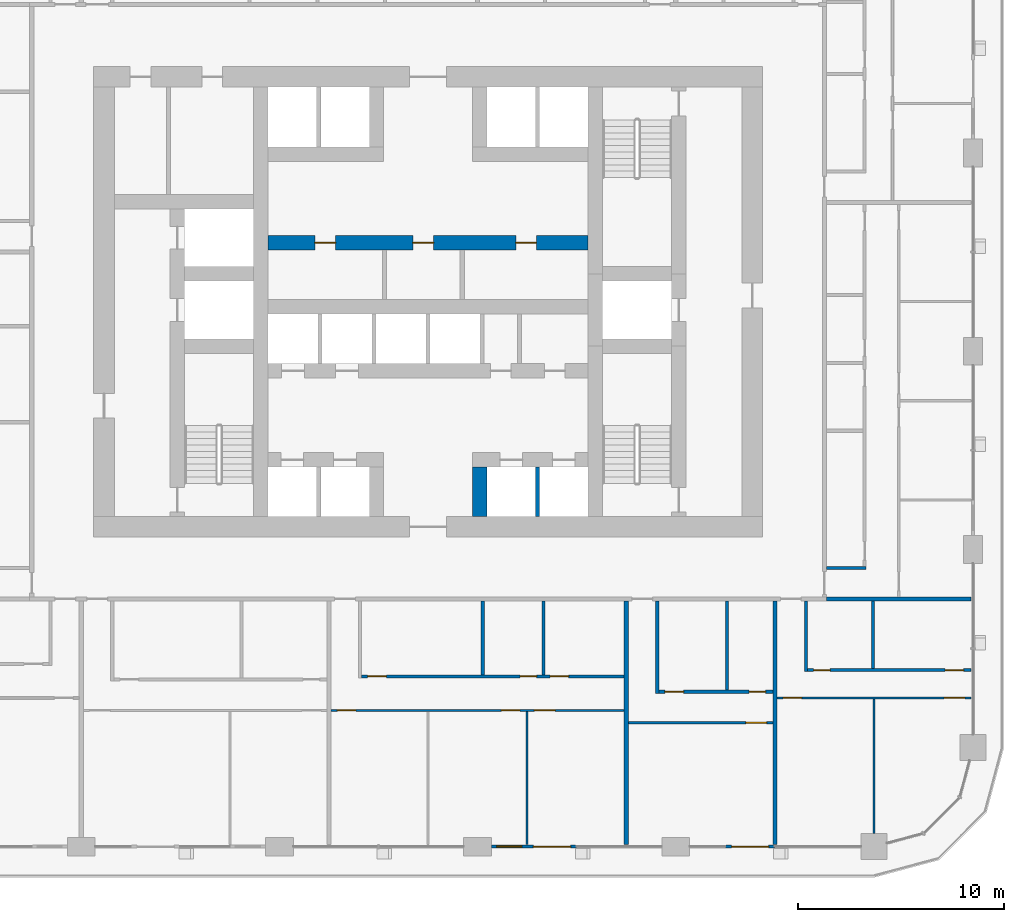
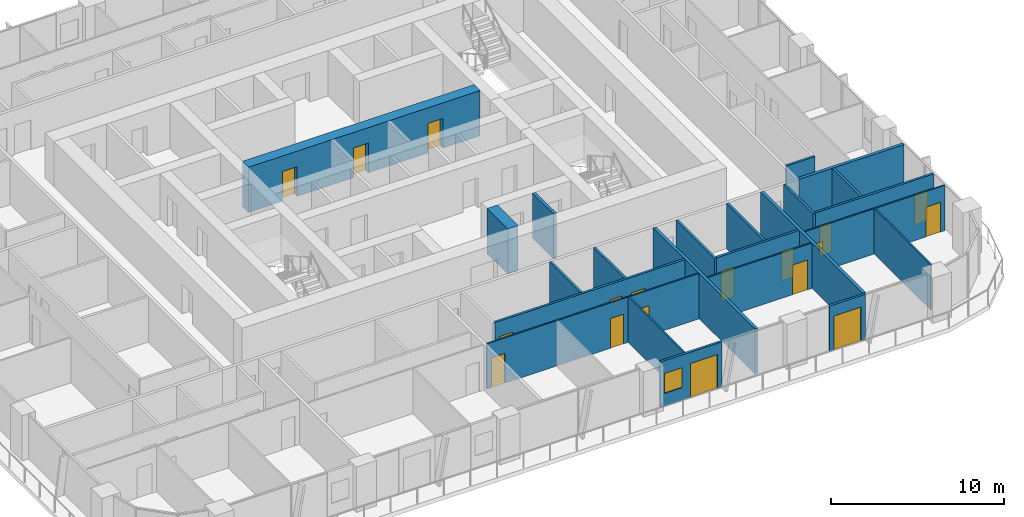
# One storey, part 11 of 21: 23 walls, 18 doors, 1 window, 19 openings.
"""IFC4 building model written with IfcOpenShell, lengths in metres."""

from ifc_helpers import new_model, si_unit, direction, frame, frame_2d, origin, place, context, subcontext, project, spatial, rectangle, extrude, material, layer, layer_set, type_object, element, fill, save


model = new_model("IFC4")

# Units and contexts
model_context = context("Model", 3, precision=1e-05, world=origin(), true_north=direction((0.0, 1.0)))
body_context = subcontext(model_context, "Body", "Model", "MODEL_VIEW")
ifc_project = project(units=[si_unit("LENGTHUNIT", "METRE"), si_unit("AREAUNIT", "SQUARE_METRE"), si_unit("VOLUMEUNIT", "CUBIC_METRE"), si_unit("PLANEANGLEUNIT", "RADIAN"), si_unit("MASSUNIT", "GRAM", prefix="KILO")], contexts=[model_context])

# Site, building, storey
site_placement = place(None, origin())
site = spatial("IfcSite", under=ifc_project, at=site_placement, CompositionType="ELEMENT")
building_placement = place(site_placement, origin())
building = spatial("IfcBuilding", under=site, at=building_placement, Name="Madar Terraces", CompositionType="ELEMENT")
storey_placement = place(building_placement, frame((0.0, 0.0, 32.89990234375)))
storey = spatial("IfcBuildingStorey", under=building, at=storey_placement, Name="L07", CompositionType="ELEMENT", Elevation=32.89990234375)

# Wall, openings, doors
ifc_material_1 = material(Name="Concrete C80/95", Category="concrete")
ifc_layer_1 = layer(ifc_material_1, 0.699951171875)
ifc_layer_set_1 = layer_set([ifc_layer_1], Name="Concrete C80/95 (CIW1 RC wall 700)")
wall_type_1 = type_object("IfcWallType", Name="CIW1 RC wall 700", PredefinedType="SHEAR", material=ifc_layer_set_1)
wall_1_placement = place(storey_placement, frame((23.449951171875, 29.25, 0.0), z_axis=(0.0, 0.0, 1.0), x_axis=(1.0, 0.0, 0.0)))
wall_1 = element("IfcWall", 1, at=wall_1_placement, inside=storey, type_object=wall_type_1, Name="CORE SHAFT WALL", PredefinedType="SHEAR", context=body_context, shape_type="SweptSolid", body=[
    extrude(rectangle(XDim=15.5, YDim=0.699951171875, at=frame_2d((7.75, 0.0))), origin(), (0.0, 0.0, 1.0), 3.2001953125),
])
opening_1_placement = place(wall_1_placement, frame((2.265869140625, 0.0, 0.0)))
opening_1 = element("IfcOpeningElement", 2, at=opening_1_placement, cuts=wall_1, Name="Opening KD2", PredefinedType="OPENING", context=body_context, shape_type="SweptSolid", body=[
    extrude(rectangle(XDim=1.0, YDim=2.10009765625, at=frame_2d((0.5, 1.050048828125))), frame((0.0, 0.35986328125, 0.0), z_axis=(0.0, -1.0, 0.0), x_axis=(1.0, 0.0, 0.0)), (0.0, 0.0, 1.0), 0.719970703125),
])
opening_2_placement = place(wall_1_placement, frame((7.017578125, 0.0, 0.0)))
opening_2 = element("IfcOpeningElement", 3, at=opening_2_placement, cuts=wall_1, Name="Opening KD2", PredefinedType="OPENING", context=body_context, shape_type="SweptSolid", body=[
    extrude(rectangle(XDim=1.0, YDim=2.10009765625, at=frame_2d((0.5, 1.050048828125))), frame((0.0, 0.35986328125, 0.0), z_axis=(0.0, -1.0, 0.0), x_axis=(1.0, 0.0, 0.0)), (0.0, 0.0, 1.0), 0.719970703125),
])
opening_3_placement = place(wall_1_placement, frame((12.001708984375, 0.0, 0.0)))
opening_3 = element("IfcOpeningElement", 4, at=opening_3_placement, cuts=wall_1, Name="Opening KD2", PredefinedType="OPENING", context=body_context, shape_type="SweptSolid", body=[
    extrude(rectangle(XDim=1.0, YDim=2.10009765625, at=frame_2d((0.5, 1.050048828125))), frame((0.0, 0.35986328125, 0.0), z_axis=(0.0, -1.0, 0.0), x_axis=(1.0, 0.0, 0.0)), (0.0, 0.0, 1.0), 0.719970703125),
])
ifc_material_2 = material(Name="Steel door leaf", Category="steel")
door_type_1 = type_object("IfcDoorType", Name="Service room door 1000 x 2100", OperationType="NOTDEFINED", PredefinedType="DOOR", material=ifc_material_2)
door_1_placement = place(opening_1_placement, origin())
door_1 = element("IfcDoor", 5, at=door_1_placement, inside=storey, type_object=door_type_1, Name="SERVICE ROOM DOOR", OperationType="SINGLE_SWING_RIGHT", OverallHeight=2.10009765625, OverallWidth=1.0, PredefinedType="DOOR", context=body_context, shape_type="SweptSolid", body=[
    extrude(rectangle(XDim=1.0, YDim=2.10009765625, at=frame_2d((0.5, 1.050048828125))), frame((0.0, 0.02490234375, 0.0), z_axis=(0.0, -1.0, 0.0), x_axis=(1.0, 0.0, 0.0)), (0.0, 0.0, 1.0), 0.050048828125),
])
fill(opening_1, door_1)
door_2_placement = place(opening_2_placement, origin())
door_2 = element("IfcDoor", 6, at=door_2_placement, inside=storey, type_object=door_type_1, Name="SERVICE ROOM DOOR", OperationType="SINGLE_SWING_LEFT", OverallHeight=2.10009765625, OverallWidth=1.0, PredefinedType="DOOR", context=body_context, shape_type="SweptSolid", body=[
    extrude(rectangle(XDim=1.0, YDim=2.10009765625, at=frame_2d((0.5, 1.050048828125))), frame((0.0, 0.02490234375, 0.0), z_axis=(0.0, -1.0, 0.0), x_axis=(1.0, 0.0, 0.0)), (0.0, 0.0, 1.0), 0.050048828125),
])
fill(opening_2, door_2)
door_3_placement = place(opening_3_placement, origin())
door_3 = element("IfcDoor", 7, at=door_3_placement, inside=storey, type_object=door_type_1, Name="SERVICE ROOM DOOR", OperationType="SINGLE_SWING_RIGHT", OverallHeight=2.10009765625, OverallWidth=1.0, PredefinedType="DOOR", context=body_context, shape_type="SweptSolid", body=[
    extrude(rectangle(XDim=1.0, YDim=2.10009765625, at=frame_2d((0.5, 1.050048828125))), frame((0.0, 0.02490234375, 0.0), z_axis=(0.0, -1.0, 0.0), x_axis=(1.0, 0.0, 0.0)), (0.0, 0.0, 1.0), 0.050048828125),
])
fill(opening_3, door_3)

# Walls
wall_2_placement = place(storey_placement, frame((33.699951171875, 16.0, 0.0), z_axis=(0.0, 0.0, 1.0), x_axis=(0.0, 1.0, 0.0)))
element("IfcWall", 8, at=wall_2_placement, inside=storey, type_object=wall_type_1, Name="CORE SHAFT WALL", PredefinedType="SHEAR", context=body_context, shape_type="SweptSolid", body=[
    extrude(rectangle(XDim=2.39990234375, YDim=0.699951171875, at=frame_2d((1.199951171875, 0.0))), origin(), (0.0, 0.0, 1.0), 3.2001953125),
])
ifc_material_3 = material(Name="Concrete C40/50", Category="concrete")
ifc_layer_2 = layer(ifc_material_3, 0.199951171875)
ifc_layer_set_2 = layer_set([ifc_layer_2], Name="Core shaft dividing wall 200 C40/50")
wall_type_2 = type_object("IfcWallType", Name="Core shaft dividing wall 200 C40/50", PredefinedType="SOLIDWALL", material=ifc_layer_set_2)
wall_3_placement = place(storey_placement, frame((36.5, 16.0, 0.0), z_axis=(0.0, 0.0, 1.0), x_axis=(0.0, 1.0, 0.0)))
element("IfcWall", 9, at=wall_3_placement, inside=storey, type_object=wall_type_2, Name="SHAFT DIVIDING WALL", PredefinedType="SOLIDWALL", context=body_context, shape_type="SweptSolid", body=[
    extrude(rectangle(XDim=2.39990234375, YDim=0.199951171875, at=frame_2d((1.199951171875, 0.0))), origin(), (0.0, 0.0, 1.0), 3.2001953125),
])

# Wall, openings, door, window
ifc_material_4 = material(Name="Aluminium composite panel, black, over insulated backing", Category="aluminium")
ifc_layer_3 = layer(ifc_material_4, 0.14990234375)
ifc_layer_set_3 = layer_set([ifc_layer_3], Name="Facade bay panel 150")
wall_type_3 = type_object("IfcWallType", Name="Facade bay panel 150", PredefinedType="SOLIDWALL", material=ifc_layer_set_3)
wall_4_placement = place(storey_placement, frame((34.27490234375, 0.0, 0.0), z_axis=(0.0, 0.0, 1.0), x_axis=(1.0, 0.0, 0.0)))
wall_4 = element("IfcWall", 10, at=wall_4_placement, inside=storey, type_object=wall_type_3, Name="Facade bay panel", PredefinedType="SOLIDWALL", context=body_context, shape_type="SweptSolid", body=[
    extrude(rectangle(XDim=4.125, YDim=0.14990234375, at=frame_2d((2.0625, 0.0))), origin(), (0.0, 0.0, 1.0), 3.2001953125),
])
opening_4_placement = place(wall_4_placement, frame((0.262451171875, 0.0, 0.89990234375)))
opening_4 = element("IfcOpeningElement", 11, at=opening_4_placement, cuts=wall_4, Name="Opening W1", PredefinedType="OPENING", context=body_context, shape_type="SweptSolid", body=[
    extrude(rectangle(XDim=1.199951171875, YDim=1.39990234375, at=frame_2d((0.60009765625, 0.699951171875))), frame((0.0, 0.0849609375, 0.0), z_axis=(0.0, -1.0, 0.0), x_axis=(1.0, 0.0, 0.0)), (0.0, 0.0, 1.0), 0.169921875),
])
opening_5_placement = place(wall_4_placement, frame((2.02490234375, 0.0, 0.0)))
opening_5 = element("IfcOpeningElement", 12, at=opening_5_placement, cuts=wall_4, Name="Opening ED1", PredefinedType="OPENING", context=body_context, shape_type="SweptSolid", body=[
    extrude(rectangle(XDim=1.800048828125, YDim=2.39990234375, at=frame_2d((0.89990234375, 1.199951171875))), frame((0.0, 0.0849609375, 0.0), z_axis=(0.0, -1.0, 0.0), x_axis=(1.0, 0.0, 0.0)), (0.0, 0.0, 1.0), 0.169921875),
])
ifc_material_5 = material(Name="Glass, clear, with black aluminium frame", Category="aluminium")
door_type_2 = type_object("IfcDoorType", Name="Balcony and terrace sliding door 1800 x 2400", OperationType="SLIDING_TO_LEFT", PredefinedType="DOOR", material=ifc_material_5)
door_4_placement = place(opening_5_placement, origin())
door_4 = element("IfcDoor", 13, at=door_4_placement, inside=storey, type_object=door_type_2, Name="Balcony door", OperationType="SLIDING_TO_RIGHT", OverallHeight=2.39990234375, OverallWidth=1.800048828125, PredefinedType="DOOR", context=body_context, shape_type="SweptSolid", body=[
    extrude(rectangle(XDim=1.800048828125, YDim=2.39990234375, at=frame_2d((0.89990234375, 1.199951171875))), frame((0.0, 0.02490234375, 0.0), z_axis=(0.0, -1.0, 0.0), x_axis=(1.0, 0.0, 0.0)), (0.0, 0.0, 1.0), 0.050048828125),
])
fill(opening_5, door_4)
ifc_material_6 = material(Name="Glass, clear, with black aluminium frame", Category="aluminium")
window_type = type_object("IfcWindowType", Name="Vent window 1200 x 1400", PartitioningType="SINGLE_PANEL", PredefinedType="WINDOW", material=ifc_material_6)
window_placement = place(opening_4_placement, origin())
window = element("IfcWindow", 14, at=window_placement, inside=storey, type_object=window_type, Name="Operable vent window", OverallHeight=1.39990234375, OverallWidth=1.199951171875, PartitioningType="SINGLE_PANEL", PredefinedType="WINDOW", context=body_context, shape_type="SweptSolid", body=[
    extrude(rectangle(XDim=1.199951171875, YDim=1.39990234375, at=frame_2d((0.60009765625, 0.699951171875))), frame((0.0, 0.030029296875, 0.0), z_axis=(0.0, -1.0, 0.0), x_axis=(1.0, 0.0, 0.0)), (0.0, 0.0, 1.0), 0.06005859375),
])
fill(opening_4, window)

# Wall, opening, door
wall_5_placement = place(storey_placement, frame((45.60009765625, 0.0, 0.0), z_axis=(0.0, 0.0, 1.0), x_axis=(1.0, 0.0, 0.0)))
wall_5 = element("IfcWall", 15, at=wall_5_placement, inside=storey, type_object=wall_type_3, Name="Facade bay panel", PredefinedType="SOLIDWALL", context=body_context, shape_type="SweptSolid", body=[
    extrude(rectangle(XDim=2.39990234375, YDim=0.14990234375, at=frame_2d((1.199951171875, 0.0))), origin(), (0.0, 0.0, 1.0), 3.2001953125),
])
opening_6_placement = place(wall_5_placement, frame((0.300048828125, 0.0, 0.0)))
opening_6 = element("IfcOpeningElement", 16, at=opening_6_placement, cuts=wall_5, Name="Opening ED1", PredefinedType="OPENING", context=body_context, shape_type="SweptSolid", body=[
    extrude(rectangle(XDim=1.800048828125, YDim=2.39990234375, at=frame_2d((0.89990234375, 1.199951171875))), frame((0.0, 0.0849609375, 0.0), z_axis=(0.0, -1.0, 0.0), x_axis=(1.0, 0.0, 0.0)), (0.0, 0.0, 1.0), 0.169921875),
])
door_5_placement = place(opening_6_placement, origin())
door_5 = element("IfcDoor", 17, at=door_5_placement, inside=storey, type_object=door_type_2, Name="Balcony door", OperationType="SLIDING_TO_LEFT", OverallHeight=2.39990234375, OverallWidth=1.800048828125, PredefinedType="DOOR", context=body_context, shape_type="SweptSolid", body=[
    extrude(rectangle(XDim=1.800048828125, YDim=2.39990234375, at=frame_2d((0.89990234375, 1.199951171875))), frame((0.0, 0.02490234375, 0.0), z_axis=(0.0, -1.0, 0.0), x_axis=(1.0, 0.0, 0.0)), (0.0, 0.0, 1.0), 0.050048828125),
])
fill(opening_6, door_5)

# Wall
ifc_material_7 = material(Name="Gypsum board on steel studs", Category="steel")
ifc_layer_4 = layer(ifc_material_7, 0.10009765625)
ifc_layer_set_4 = layer_set([ifc_layer_4], Name="Flat partition 100")
wall_type_4 = type_object("IfcWallType", Name="Flat partition 100", PredefinedType="PARTITIONING", material=ifc_layer_set_4)
wall_6_placement = place(storey_placement, frame((36.0, 6.550048828125, 0.0), z_axis=(0.0, 0.0, 1.0), x_axis=(0.0, -1.0, 0.0)))
element("IfcWall", 18, at=wall_6_placement, inside=storey, type_object=wall_type_4, Name="Flat partition 100", PredefinedType="PARTITIONING", context=body_context, shape_type="SweptSolid", body=[
    extrude(rectangle(XDim=6.449951171875, YDim=0.10009765625, at=frame_2d((3.22509765625, 0.0))), origin(), (0.0, 0.0, 1.0), 3.2001953125),
])

# Wall, openings, doors
wall_7_placement = place(storey_placement, frame((40.699951171875, 6.60009765625, 0.0), z_axis=(0.0, 0.0, 1.0), x_axis=(-1.0, 0.0, 0.0)))
wall_7 = element("IfcWall", 19, at=wall_7_placement, inside=storey, type_object=wall_type_4, Name="Flat partition 100", PredefinedType="PARTITIONING", context=body_context, shape_type="SweptSolid", body=[
    extrude(rectangle(XDim=14.199951171875, YDim=0.10009765625, at=frame_2d((7.10009765625, 0.0))), origin(), (0.0, 0.0, 1.0), 3.2001953125),
])
opening_7_placement = place(wall_7_placement, frame((13.0, 0.0, 0.0)))
opening_7 = element("IfcOpeningElement", 20, at=opening_7_placement, cuts=wall_7, Name="Opening D2", PredefinedType="OPENING", context=body_context, shape_type="SweptSolid", body=[
    extrude(rectangle(XDim=0.89990234375, YDim=2.10009765625, at=frame_2d((0.449951171875, 1.050048828125))), frame((0.0, 0.06005859375, 0.0), z_axis=(0.0, -1.0, 0.0), x_axis=(1.0, 0.0, 0.0)), (0.0, 0.0, 1.0), 0.1201171875),
])
opening_8_placement = place(wall_7_placement, frame((5.050048828125, 0.0, 0.0)))
opening_8 = element("IfcOpeningElement", 21, at=opening_8_placement, cuts=wall_7, Name="Opening D2", PredefinedType="OPENING", context=body_context, shape_type="SweptSolid", body=[
    extrude(rectangle(XDim=0.89990234375, YDim=2.10009765625, at=frame_2d((0.449951171875, 1.050048828125))), frame((0.0, 0.06005859375, 0.0), z_axis=(0.0, -1.0, 0.0), x_axis=(1.0, 0.0, 0.0)), (0.0, 0.0, 1.0), 0.1201171875),
])
opening_9_placement = place(wall_7_placement, frame((3.35009765625, 0.0, 0.0)))
opening_9 = element("IfcOpeningElement", 22, at=opening_9_placement, cuts=wall_7, Name="Opening D3", PredefinedType="OPENING", context=body_context, shape_type="SweptSolid", body=[
    extrude(rectangle(XDim=1.0, YDim=2.10009765625, at=frame_2d((0.5, 1.050048828125))), frame((0.0, 0.06005859375, 0.0), z_axis=(0.0, -1.0, 0.0), x_axis=(1.0, 0.0, 0.0)), (0.0, 0.0, 1.0), 0.1201171875),
])
ifc_material_8 = material(Name="Timber door leaf", Category="wood")
door_type_3 = type_object("IfcDoorType", Name="Flat living room door 1000", OperationType="NOTDEFINED", PredefinedType="DOOR", material=ifc_material_8)
door_6_placement = place(opening_9_placement, origin())
door_6 = element("IfcDoor", 23, at=door_6_placement, inside=storey, type_object=door_type_3, Name="Flat living room door 1000", OperationType="SINGLE_SWING_RIGHT", OverallHeight=2.10009765625, OverallWidth=1.0, PredefinedType="DOOR", context=body_context, shape_type="SweptSolid", body=[
    extrude(rectangle(XDim=1.0, YDim=2.10009765625, at=frame_2d((0.5, 1.050048828125))), frame((0.0, 0.02490234375, 0.0), z_axis=(0.0, -1.0, 0.0), x_axis=(1.0, 0.0, 0.0)), (0.0, 0.0, 1.0), 0.050048828125),
])
fill(opening_9, door_6)
ifc_material_9 = material(Name="Timber door leaf", Category="wood")
door_type_4 = type_object("IfcDoorType", Name="Flat room door 900", OperationType="NOTDEFINED", PredefinedType="DOOR", material=ifc_material_9)
door_7_placement = place(opening_7_placement, origin())
door_7 = element("IfcDoor", 24, at=door_7_placement, inside=storey, type_object=door_type_4, Name="Flat room door 900", OperationType="SINGLE_SWING_RIGHT", OverallHeight=2.10009765625, OverallWidth=0.89990234375, PredefinedType="DOOR", context=body_context, shape_type="SweptSolid", body=[
    extrude(rectangle(XDim=0.89990234375, YDim=2.10009765625, at=frame_2d((0.449951171875, 1.050048828125))), frame((0.0, 0.02490234375, 0.0), z_axis=(0.0, -1.0, 0.0), x_axis=(1.0, 0.0, 0.0)), (0.0, 0.0, 1.0), 0.050048828125),
])
fill(opening_7, door_7)
door_8_placement = place(opening_8_placement, origin())
door_8 = element("IfcDoor", 25, at=door_8_placement, inside=storey, type_object=door_type_4, Name="Flat room door 900", OperationType="SINGLE_SWING_LEFT", OverallHeight=2.10009765625, OverallWidth=0.89990234375, PredefinedType="DOOR", context=body_context, shape_type="SweptSolid", body=[
    extrude(rectangle(XDim=0.89990234375, YDim=2.10009765625, at=frame_2d((0.449951171875, 1.050048828125))), frame((0.0, 0.02490234375, 0.0), z_axis=(0.0, -1.0, 0.0), x_axis=(1.0, 0.0, 0.0)), (0.0, 0.0, 1.0), 0.050048828125),
])
fill(opening_8, door_8)

# Wall, opening, door
wall_8_placement = place(storey_placement, frame((47.89990234375, 6.0, 0.0), z_axis=(0.0, 0.0, 1.0), x_axis=(-1.0, 0.0, 0.0)))
wall_8 = element("IfcWall", 26, at=wall_8_placement, inside=storey, type_object=wall_type_4, Name="Flat partition 100", PredefinedType="PARTITIONING", context=body_context, shape_type="SweptSolid", body=[
    extrude(rectangle(XDim=7.0, YDim=0.10009765625, at=frame_2d((3.5, 0.0))), origin(), (0.0, 0.0, 1.0), 3.2001953125),
])
opening_10_placement = place(wall_8_placement, frame((0.300048828125, 0.0, 0.0)))
opening_10 = element("IfcOpeningElement", 27, at=opening_10_placement, cuts=wall_8, Name="Opening D3", PredefinedType="OPENING", context=body_context, shape_type="SweptSolid", body=[
    extrude(rectangle(XDim=1.0, YDim=2.10009765625, at=frame_2d((0.5, 1.050048828125))), frame((0.0, 0.06005859375, 0.0), z_axis=(0.0, -1.0, 0.0), x_axis=(1.0, 0.0, 0.0)), (0.0, 0.0, 1.0), 0.1201171875),
])
door_9_placement = place(opening_10_placement, origin())
door_9 = element("IfcDoor", 28, at=door_9_placement, inside=storey, type_object=door_type_3, Name="Flat living room door 1000", OperationType="SINGLE_SWING_LEFT", OverallHeight=2.10009765625, OverallWidth=1.0, PredefinedType="DOOR", context=body_context, shape_type="SweptSolid", body=[
    extrude(rectangle(XDim=1.0, YDim=2.10009765625, at=frame_2d((0.5, 1.050048828125))), frame((0.0, 0.02490234375, 0.0), z_axis=(0.0, -1.0, 0.0), x_axis=(1.0, 0.0, 0.0)), (0.0, 0.0, 1.0), 0.050048828125),
])
fill(opening_10, door_9)

# Wall
wall_9_placement = place(storey_placement, frame((52.800048828125, 7.14990234375, 0.0), z_axis=(0.0, 0.0, 1.0), x_axis=(0.0, -1.0, 0.0)))
element("IfcWall", 29, at=wall_9_placement, inside=storey, type_object=wall_type_4, Name="Flat partition 100", PredefinedType="PARTITIONING", context=body_context, shape_type="SweptSolid", body=[
    extrude(rectangle(XDim=6.52490234375, YDim=0.10009765625, at=frame_2d((3.262451171875, 0.0))), origin(), (0.0, 0.0, 1.0), 3.2001953125),
])

# Wall, openings, doors
wall_10_placement = place(storey_placement, frame((57.5, 7.199951171875, 0.0), z_axis=(0.0, 0.0, 1.0), x_axis=(-1.0, 0.0, 0.0)))
wall_10 = element("IfcWall", 30, at=wall_10_placement, inside=storey, type_object=wall_type_4, Name="Flat partition 100", PredefinedType="PARTITIONING", context=body_context, shape_type="SweptSolid", body=[
    extrude(rectangle(XDim=9.39990234375, YDim=0.10009765625, at=frame_2d((4.699951171875, 0.0))), origin(), (0.0, 0.0, 1.0), 3.2001953125),
])
opening_11_placement = place(wall_10_placement, frame((8.199951171875, 0.0, 0.0)))
opening_11 = element("IfcOpeningElement", 31, at=opening_11_placement, cuts=wall_10, Name="Opening D2", PredefinedType="OPENING", context=body_context, shape_type="SweptSolid", body=[
    extrude(rectangle(XDim=0.89990234375, YDim=2.10009765625, at=frame_2d((0.449951171875, 1.050048828125))), frame((0.0, 0.06005859375, 0.0), z_axis=(0.0, -1.0, 0.0), x_axis=(1.0, 0.0, 0.0)), (0.0, 0.0, 1.0), 0.1201171875),
])
opening_12_placement = place(wall_10_placement, frame((0.300048828125, 0.0, 0.0)))
opening_12 = element("IfcOpeningElement", 32, at=opening_12_placement, cuts=wall_10, Name="Opening D3", PredefinedType="OPENING", context=body_context, shape_type="SweptSolid", body=[
    extrude(rectangle(XDim=1.0, YDim=2.10009765625, at=frame_2d((0.5, 1.050048828125))), frame((0.0, 0.06005859375, 0.0), z_axis=(0.0, -1.0, 0.0), x_axis=(1.0, 0.0, 0.0)), (0.0, 0.0, 1.0), 0.1201171875),
])
door_10_placement = place(opening_12_placement, origin())
door_10 = element("IfcDoor", 33, at=door_10_placement, inside=storey, type_object=door_type_3, Name="Flat living room door 1000", OperationType="SINGLE_SWING_LEFT", OverallHeight=2.10009765625, OverallWidth=1.0, PredefinedType="DOOR", context=body_context, shape_type="SweptSolid", body=[
    extrude(rectangle(XDim=1.0, YDim=2.10009765625, at=frame_2d((0.5, 1.050048828125))), frame((0.0, 0.02490234375, 0.0), z_axis=(0.0, -1.0, 0.0), x_axis=(1.0, 0.0, 0.0)), (0.0, 0.0, 1.0), 0.050048828125),
])
fill(opening_12, door_10)
door_11_placement = place(opening_11_placement, origin())
door_11 = element("IfcDoor", 34, at=door_11_placement, inside=storey, type_object=door_type_4, Name="Flat room door 900", OperationType="SINGLE_SWING_RIGHT", OverallHeight=2.10009765625, OverallWidth=0.89990234375, PredefinedType="DOOR", context=body_context, shape_type="SweptSolid", body=[
    extrude(rectangle(XDim=0.89990234375, YDim=2.10009765625, at=frame_2d((0.449951171875, 1.050048828125))), frame((0.0, 0.02490234375, 0.0), z_axis=(0.0, -1.0, 0.0), x_axis=(1.0, 0.0, 0.0)), (0.0, 0.0, 1.0), 0.050048828125),
])
fill(opening_11, door_11)

# Walls
ifc_material_10 = material(Name="Lightweight blockwork", Category="masonry")
ifc_layer_5 = layer(ifc_material_10, 0.199951171875)
ifc_layer_set_5 = layer_set([ifc_layer_5], Name="Flat party and entrance wall 200")
wall_type_5 = type_object("IfcWallType", Name="Flat party and entrance wall 200", PredefinedType="PARTITIONING", material=ifc_layer_set_5)
for number, where, z_axis, x_axis, name in (
    (35, (40.800048828125, 11.89990234375, 0.0), (0.0, 0.0, 1.0), (0.0, -1.0, 0.0), "Flat party and entrance wall 200"),
    (36, (48.0, 11.89990234375, 0.0), (0.0, 0.0, 1.0), (0.0, -1.0, 0.0), "Flat party and entrance wall 200"),
):
    element("IfcWall", number, at=place(storey_placement, frame(where, z_axis=z_axis, x_axis=x_axis)), inside=storey, type_object=wall_type_5, Name=name, PredefinedType="PARTITIONING", context=body_context, shape_type="SweptSolid", body=[
        extrude(rectangle(XDim=11.7998046875, YDim=0.199951171875, at=frame_2d((5.89990234375, 0.0))), origin(), (0.0, 0.0, 1.0), 3.2001953125),
    ])
wall_11_placement = place(storey_placement, frame((50.5, 12.0, 0.0), z_axis=(0.0, 0.0, 1.0), x_axis=(1.0, 0.0, 0.0)))
element("IfcWall", 37, at=wall_11_placement, inside=storey, type_object=wall_type_5, Name="Flat party and entrance wall 200", PredefinedType="PARTITIONING", context=body_context, shape_type="SweptSolid", body=[
    extrude(rectangle(XDim=7.0, YDim=0.199951171875, at=frame_2d((3.5, 0.0))), origin(), (0.0, 0.0, 1.0), 3.2001953125),
])
ifc_material_11 = material(Name="Lightweight blockwork", Category="masonry")
ifc_layer_6 = layer(ifc_material_11, 0.14990234375)
ifc_layer_set_6 = layer_set([ifc_layer_6], Name="Flat wet-room partition 150")
wall_type_6 = type_object("IfcWallType", Name="Flat wet-room partition 150", PredefinedType="PARTITIONING", material=ifc_layer_set_6)
for number, where, z_axis, x_axis, name in (
    (38, (33.84814453125, 11.89990234375, 0.0), (0.0, 0.0, 1.0), (0.0, -1.0, 0.0), "Flat wet-room partition 150"),
    (39, (36.78466796875, 11.89990234375, 0.0), (0.0, 0.0, 1.0), (0.0, -1.0, 0.0), "Flat wet-room partition 150"),
):
    element("IfcWall", number, at=place(storey_placement, frame(where, z_axis=z_axis, x_axis=x_axis)), inside=storey, type_object=wall_type_6, Name=name, PredefinedType="PARTITIONING", context=body_context, shape_type="SweptSolid", body=[
        extrude(rectangle(XDim=3.574951171875, YDim=0.14990234375, at=frame_2d((1.78759765625, 0.0))), origin(), (0.0, 0.0, 1.0), 3.2001953125),
    ])

# Wall, openings, doors
wall_12_placement = place(storey_placement, frame((27.97509765625, 8.25, 0.0), z_axis=(0.0, 0.0, 1.0), x_axis=(1.0, 0.0, 0.0)))
wall_12 = element("IfcWall", 40, at=wall_12_placement, inside=storey, type_object=wall_type_6, Name="Flat wet-room partition 150", PredefinedType="PARTITIONING", context=body_context, shape_type="SweptSolid", body=[
    extrude(rectangle(XDim=12.724853515625, YDim=0.14990234375, at=frame_2d((6.3623046875, 0.0))), origin(), (0.0, 0.0, 1.0), 3.2001953125),
])
opening_13_placement = place(wall_12_placement, frame((0.300048828125, 0.0, 0.0)))
opening_13 = element("IfcOpeningElement", 41, at=opening_13_placement, cuts=wall_12, Name="Opening D2", PredefinedType="OPENING", context=body_context, shape_type="SweptSolid", body=[
    extrude(rectangle(XDim=0.89990234375, YDim=2.10009765625, at=frame_2d((0.449951171875, 1.050048828125))), frame((0.0, 0.0849609375, 0.0), z_axis=(0.0, -1.0, 0.0), x_axis=(1.0, 0.0, 0.0)), (0.0, 0.0, 1.0), 0.169921875),
])
opening_14_placement = place(wall_12_placement, frame((7.6845703125, 0.0, 0.0)))
opening_14 = element("IfcOpeningElement", 42, at=opening_14_placement, cuts=wall_12, Name="Opening D4", PredefinedType="OPENING", context=body_context, shape_type="SweptSolid", body=[
    extrude(rectangle(XDim=0.800048828125, YDim=2.10009765625, at=frame_2d((0.39990234375, 1.050048828125))), frame((0.0, 0.0849609375, 0.0), z_axis=(0.0, -1.0, 0.0), x_axis=(1.0, 0.0, 0.0)), (0.0, 0.0, 1.0), 0.169921875),
])
opening_15_placement = place(wall_12_placement, frame((9.134521484375, 0.0, 0.0)))
opening_15 = element("IfcOpeningElement", 43, at=opening_15_placement, cuts=wall_12, Name="Opening D5", PredefinedType="OPENING", context=body_context, shape_type="SweptSolid", body=[
    extrude(rectangle(XDim=0.89990234375, YDim=2.10009765625, at=frame_2d((0.449951171875, 1.050048828125))), frame((0.0, 0.0849609375, 0.0), z_axis=(0.0, -1.0, 0.0), x_axis=(1.0, 0.0, 0.0)), (0.0, 0.0, 1.0), 0.169921875),
])
ifc_material_12 = material(Name="Timber door leaf", Category="wood")
door_type_5 = type_object("IfcDoorType", Name="Flat accessible bathroom door 900", OperationType="NOTDEFINED", PredefinedType="DOOR", material=ifc_material_12)
door_12_placement = place(opening_15_placement, origin())
door_12 = element("IfcDoor", 44, at=door_12_placement, inside=storey, type_object=door_type_5, Name="Flat accessible bathroom door 900", OperationType="SINGLE_SWING_LEFT", OverallHeight=2.10009765625, OverallWidth=0.89990234375, PredefinedType="DOOR", context=body_context, shape_type="SweptSolid", body=[
    extrude(rectangle(XDim=0.89990234375, YDim=2.10009765625, at=frame_2d((0.449951171875, 1.050048828125))), frame((0.0, 0.02490234375, 0.0), z_axis=(0.0, -1.0, 0.0), x_axis=(1.0, 0.0, 0.0)), (0.0, 0.0, 1.0), 0.050048828125),
])
fill(opening_15, door_12)
ifc_material_13 = material(Name="Timber door leaf", Category="wood")
door_type_6 = type_object("IfcDoorType", Name="Flat bathroom door 800", OperationType="NOTDEFINED", PredefinedType="DOOR", material=ifc_material_13)
door_13_placement = place(opening_14_placement, origin())
door_13 = element("IfcDoor", 45, at=door_13_placement, inside=storey, type_object=door_type_6, Name="Flat bathroom door 800", OperationType="SINGLE_SWING_RIGHT", OverallHeight=2.10009765625, OverallWidth=0.800048828125, PredefinedType="DOOR", context=body_context, shape_type="SweptSolid", body=[
    extrude(rectangle(XDim=0.800048828125, YDim=2.10009765625, at=frame_2d((0.39990234375, 1.050048828125))), frame((0.0, 0.02490234375, 0.0), z_axis=(0.0, -1.0, 0.0), x_axis=(1.0, 0.0, 0.0)), (0.0, 0.0, 1.0), 0.050048828125),
])
fill(opening_14, door_13)
door_14_placement = place(opening_13_placement, origin())
door_14 = element("IfcDoor", 46, at=door_14_placement, inside=storey, type_object=door_type_4, Name="Flat room door 900", OperationType="SINGLE_SWING_LEFT", OverallHeight=2.10009765625, OverallWidth=0.89990234375, PredefinedType="DOOR", context=body_context, shape_type="SweptSolid", body=[
    extrude(rectangle(XDim=0.89990234375, YDim=2.10009765625, at=frame_2d((0.449951171875, 1.050048828125))), frame((0.0, 0.02490234375, 0.0), z_axis=(0.0, -1.0, 0.0), x_axis=(1.0, 0.0, 0.0)), (0.0, 0.0, 1.0), 0.050048828125),
])
fill(opening_13, door_14)

# Walls
wall_13_placement = place(storey_placement, frame((45.68994140625, 11.89990234375, 0.0), z_axis=(0.0, 0.0, 1.0), x_axis=(0.0, -1.0, 0.0)))
element("IfcWall", 47, at=wall_13_placement, inside=storey, type_object=wall_type_6, Name="Flat wet-room partition 150", PredefinedType="PARTITIONING", context=body_context, shape_type="SweptSolid", body=[
    extrude(rectangle(XDim=4.324951171875, YDim=0.14990234375, at=frame_2d((2.16259765625, 0.0))), origin(), (0.0, 0.0, 1.0), 3.2001953125),
])
wall_14_placement = place(storey_placement, frame((42.300048828125, 11.89990234375, 0.0), z_axis=(0.0, 0.0, 1.0), x_axis=(0.0, -1.0, 0.0)))
element("IfcWall", 48, at=wall_14_placement, inside=storey, type_object=wall_type_6, Name="Flat wet-room partition 150", PredefinedType="PARTITIONING", context=body_context, shape_type="SweptSolid", body=[
    extrude(rectangle(XDim=4.474853515625, YDim=0.14990234375, at=frame_2d((2.2373046875, 0.0))), origin(), (0.0, 0.0, 1.0), 3.2001953125),
])

# Wall, openings, doors
wall_15_placement = place(storey_placement, frame((42.375, 7.5, 0.0), z_axis=(0.0, 0.0, 1.0), x_axis=(1.0, 0.0, 0.0)))
wall_15 = element("IfcWall", 49, at=wall_15_placement, inside=storey, type_object=wall_type_6, Name="Flat wet-room partition 150", PredefinedType="PARTITIONING", context=body_context, shape_type="SweptSolid", body=[
    extrude(rectangle(XDim=5.52490234375, YDim=0.14990234375, at=frame_2d((2.762451171875, 0.0))), origin(), (0.0, 0.0, 1.0), 3.2001953125),
])
opening_16_placement = place(wall_15_placement, frame((0.300048828125, 0.0, 0.0)))
opening_16 = element("IfcOpeningElement", 50, at=opening_16_placement, cuts=wall_15, Name="Opening D2", PredefinedType="OPENING", context=body_context, shape_type="SweptSolid", body=[
    extrude(rectangle(XDim=0.89990234375, YDim=2.10009765625, at=frame_2d((0.449951171875, 1.050048828125))), frame((0.0, 0.0849609375, 0.0), z_axis=(0.0, -1.0, 0.0), x_axis=(1.0, 0.0, 0.0)), (0.0, 0.0, 1.0), 0.169921875),
])
opening_17_placement = place(wall_15_placement, frame((4.375, 0.0, 0.0)))
opening_17 = element("IfcOpeningElement", 51, at=opening_17_placement, cuts=wall_15, Name="Opening D4", PredefinedType="OPENING", context=body_context, shape_type="SweptSolid", body=[
    extrude(rectangle(XDim=0.800048828125, YDim=2.10009765625, at=frame_2d((0.39990234375, 1.050048828125))), frame((0.0, 0.0849609375, 0.0), z_axis=(0.0, -1.0, 0.0), x_axis=(1.0, 0.0, 0.0)), (0.0, 0.0, 1.0), 0.169921875),
])
door_15_placement = place(opening_17_placement, origin())
door_15 = element("IfcDoor", 52, at=door_15_placement, inside=storey, type_object=door_type_6, Name="Flat bathroom door 800", OperationType="SINGLE_SWING_RIGHT", OverallHeight=2.10009765625, OverallWidth=0.800048828125, PredefinedType="DOOR", context=body_context, shape_type="SweptSolid", body=[
    extrude(rectangle(XDim=0.800048828125, YDim=2.10009765625, at=frame_2d((0.39990234375, 1.050048828125))), frame((0.0, 0.02490234375, 0.0), z_axis=(0.0, -1.0, 0.0), x_axis=(1.0, 0.0, 0.0)), (0.0, 0.0, 1.0), 0.050048828125),
])
fill(opening_17, door_15)
door_16_placement = place(opening_16_placement, origin())
door_16 = element("IfcDoor", 53, at=door_16_placement, inside=storey, type_object=door_type_4, Name="Flat room door 900", OperationType="SINGLE_SWING_LEFT", OverallHeight=2.10009765625, OverallWidth=0.89990234375, PredefinedType="DOOR", context=body_context, shape_type="SweptSolid", body=[
    extrude(rectangle(XDim=0.89990234375, YDim=2.10009765625, at=frame_2d((0.449951171875, 1.050048828125))), frame((0.0, 0.02490234375, 0.0), z_axis=(0.0, -1.0, 0.0), x_axis=(1.0, 0.0, 0.0)), (0.0, 0.0, 1.0), 0.050048828125),
])
fill(opening_16, door_16)

# Walls
wall_16_placement = place(storey_placement, frame((52.7451171875, 11.89990234375, 0.0), z_axis=(0.0, 0.0, 1.0), x_axis=(0.0, -1.0, 0.0)))
element("IfcWall", 54, at=wall_16_placement, inside=storey, type_object=wall_type_6, Name="Flat wet-room partition 150", PredefinedType="PARTITIONING", context=body_context, shape_type="SweptSolid", body=[
    extrude(rectangle(XDim=3.27490234375, YDim=0.14990234375, at=frame_2d((1.637451171875, 0.0))), origin(), (0.0, 0.0, 1.0), 3.2001953125),
])
wall_17_placement = place(storey_placement, frame((49.5, 11.89990234375, 0.0), z_axis=(0.0, 0.0, 1.0), x_axis=(0.0, -1.0, 0.0)))
element("IfcWall", 55, at=wall_17_placement, inside=storey, type_object=wall_type_6, Name="Flat wet-room partition 150", PredefinedType="PARTITIONING", context=body_context, shape_type="SweptSolid", body=[
    extrude(rectangle(XDim=3.4248046875, YDim=0.14990234375, at=frame_2d((1.71240234375, 0.0))), origin(), (0.0, 0.0, 1.0), 3.2001953125),
])

# Wall, openings, doors
wall_18_placement = place(storey_placement, frame((49.574951171875, 8.550048828125, 0.0), z_axis=(0.0, 0.0, 1.0), x_axis=(1.0, 0.0, 0.0)))
wall_18 = element("IfcWall", 56, at=wall_18_placement, inside=storey, type_object=wall_type_6, Name="Flat wet-room partition 150", PredefinedType="PARTITIONING", context=body_context, shape_type="SweptSolid", body=[
    extrude(rectangle(XDim=7.925048828125, YDim=0.14990234375, at=frame_2d((3.96240234375, 0.0))), origin(), (0.0, 0.0, 1.0), 3.2001953125),
])
opening_18_placement = place(wall_18_placement, frame((0.300048828125, 0.0, 0.0)))
opening_18 = element("IfcOpeningElement", 57, at=opening_18_placement, cuts=wall_18, Name="Opening D4", PredefinedType="OPENING", context=body_context, shape_type="SweptSolid", body=[
    extrude(rectangle(XDim=0.800048828125, YDim=2.10009765625, at=frame_2d((0.39990234375, 1.050048828125))), frame((0.0, 0.0849609375, 0.0), z_axis=(0.0, -1.0, 0.0), x_axis=(1.0, 0.0, 0.0)), (0.0, 0.0, 1.0), 0.169921875),
])
opening_19_placement = place(wall_18_placement, frame((6.675048828125, 0.0, 0.0)))
opening_19 = element("IfcOpeningElement", 58, at=opening_19_placement, cuts=wall_18, Name="Opening D2", PredefinedType="OPENING", context=body_context, shape_type="SweptSolid", body=[
    extrude(rectangle(XDim=0.89990234375, YDim=2.10009765625, at=frame_2d((0.449951171875, 1.050048828125))), frame((0.0, 0.0849609375, 0.0), z_axis=(0.0, -1.0, 0.0), x_axis=(1.0, 0.0, 0.0)), (0.0, 0.0, 1.0), 0.169921875),
])
door_17_placement = place(opening_18_placement, origin())
door_17 = element("IfcDoor", 59, at=door_17_placement, inside=storey, type_object=door_type_6, Name="Flat bathroom door 800", OperationType="SINGLE_SWING_LEFT", OverallHeight=2.10009765625, OverallWidth=0.800048828125, PredefinedType="DOOR", context=body_context, shape_type="SweptSolid", body=[
    extrude(rectangle(XDim=0.800048828125, YDim=2.10009765625, at=frame_2d((0.39990234375, 1.050048828125))), frame((0.0, 0.02490234375, 0.0), z_axis=(0.0, -1.0, 0.0), x_axis=(1.0, 0.0, 0.0)), (0.0, 0.0, 1.0), 0.050048828125),
])
fill(opening_18, door_17)
door_18_placement = place(opening_19_placement, origin())
door_18 = element("IfcDoor", 60, at=door_18_placement, inside=storey, type_object=door_type_4, Name="Flat room door 900", OperationType="SINGLE_SWING_RIGHT", OverallHeight=2.10009765625, OverallWidth=0.89990234375, PredefinedType="DOOR", context=body_context, shape_type="SweptSolid", body=[
    extrude(rectangle(XDim=0.89990234375, YDim=2.10009765625, at=frame_2d((0.449951171875, 1.050048828125))), frame((0.0, 0.02490234375, 0.0), z_axis=(0.0, -1.0, 0.0), x_axis=(1.0, 0.0, 0.0)), (0.0, 0.0, 1.0), 0.050048828125),
])
fill(opening_19, door_18)

# Wall
wall_19_placement = place(storey_placement, frame((50.5, 13.5, 0.0), z_axis=(0.0, 0.0, 1.0), x_axis=(1.0, 0.0, 0.0)))
element("IfcWall", 61, at=wall_19_placement, inside=storey, type_object=wall_type_6, Name="Flat wet-room partition 150", PredefinedType="PARTITIONING", context=body_context, shape_type="SweptSolid", body=[
    extrude(rectangle(XDim=1.925048828125, YDim=0.14990234375, at=frame_2d((0.96240234375, 0.0))), origin(), (0.0, 0.0, 1.0), 3.2001953125),
])

save(model, "model.ifc")
